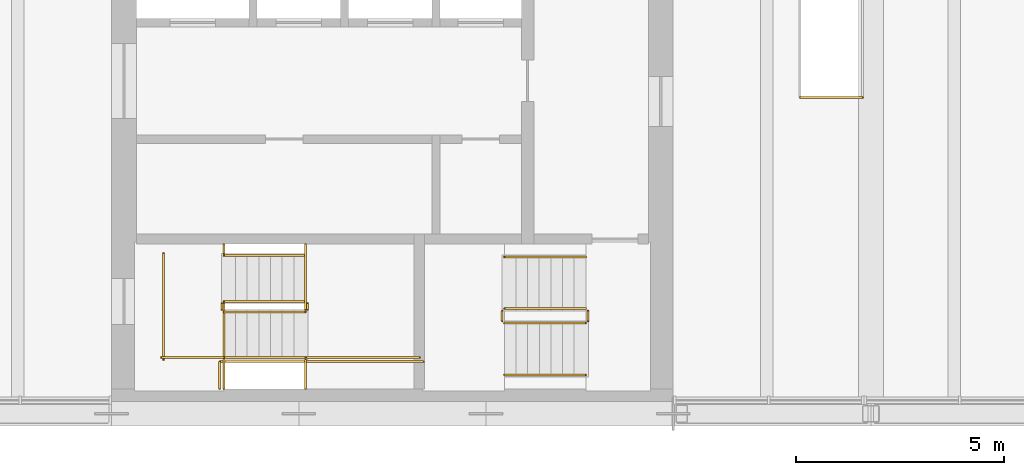
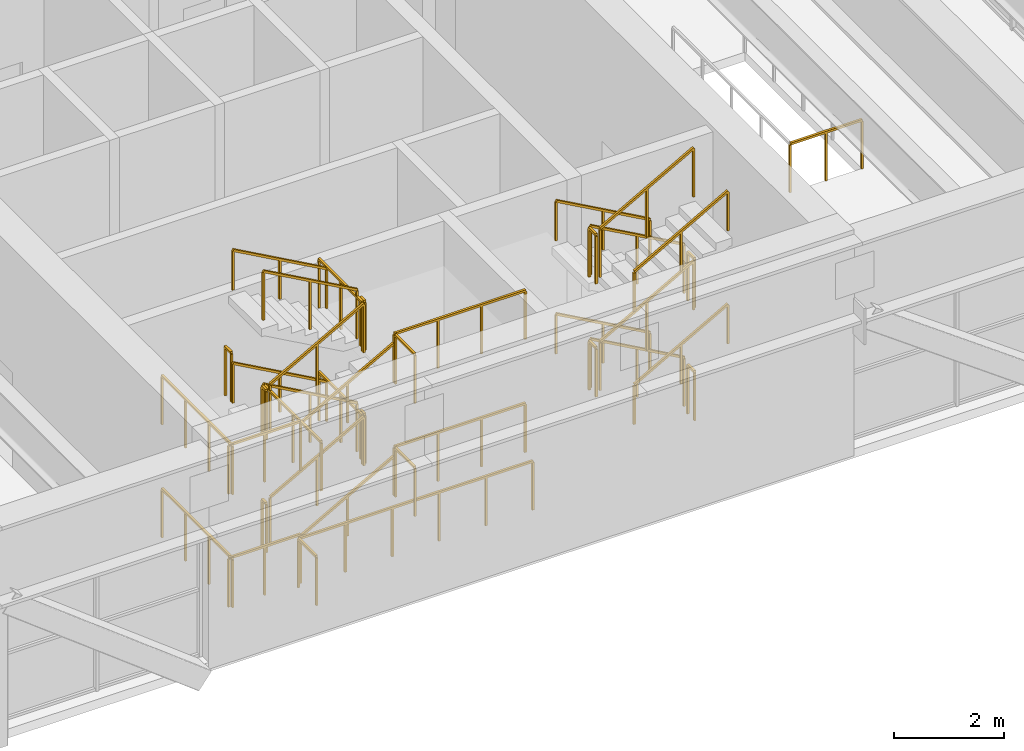
# One storey, part 11 of 12: 39 railings.
"""IFC4 building model written with IfcOpenShell, lengths in metres."""

from ifc_helpers import new_model, si_unit, direction, frame, origin, origin_2d, place, context, subcontext, project, spatial, rectangle, extrude, material, type_object, element, save


model = new_model("IFC4")

# Units and contexts
model_context = context("Model", 3, precision=1e-05, world=origin(), true_north=direction((0.0, 1.0)))
body_context = subcontext(model_context, "Body", "Model", "MODEL_VIEW")
ifc_project = project(units=[si_unit("LENGTHUNIT", "METRE"), si_unit("AREAUNIT", "SQUARE_METRE"), si_unit("VOLUMEUNIT", "CUBIC_METRE"), si_unit("PLANEANGLEUNIT", "RADIAN"), si_unit("MASSUNIT", "GRAM", prefix="KILO")], contexts=[model_context])

# Site, building, storey
site_placement = place(None, origin())
site = spatial("IfcSite", under=ifc_project, at=site_placement, CompositionType="ELEMENT")
building_placement = place(site_placement, origin())
building = spatial("IfcBuilding", under=site, at=building_placement, Name="Sennacour Bend Tower", CompositionType="ELEMENT")
storey_placement = place(building_placement, frame((0.0, 0.0, 350.5)))
storey = spatial("IfcBuildingStorey", under=building, at=storey_placement, Name="L80", CompositionType="ELEMENT", Elevation=350.5)

# Railings
ifc_material = material(Name="Stainless steel", Category="steel")
railing_type_1 = type_object("IfcRailingType", Name="RL-GUARD-1100", PredefinedType="GUARDRAIL", material=ifc_material)
railing_1_placement = place(storey_placement, frame((56.699951171875, 2.449951171875, 0.15625)))
element("IfcRailing", 1, at=railing_1_placement, inside=storey, type_object=railing_type_1, Name="L80 SA1 stair guard 1", PredefinedType="GUARDRAIL", context=body_context, shape_type="SweptSolid", body=[
    extrude(rectangle(XDim=0.048095703125, YDim=0.048095703125, at=origin_2d()), frame((0.0, 0.0, 1.076171875), z_axis=(0.873232148454, 0.0, 0.487304437602), x_axis=(0.0, 1.0, 0.0)), (0.0, 0.0, 1.0), 2.244384765625),
    extrude(rectangle(XDim=0.0419921875, YDim=0.0419921875, at=origin_2d()), origin(), (0.0, 0.0, 1.0), 1.052001953125),
    extrude(rectangle(XDim=0.0419921875, YDim=0.0419921875, at=origin_2d()), frame((0.97998046875, 0.0, 0.546875)), (0.0, 0.0, 1.0), 1.052001953125),
    extrude(rectangle(XDim=0.0419921875, YDim=0.0419921875, at=origin_2d()), frame((1.9599609375, 0.0, 1.09375)), (0.0, 0.0, 1.0), 1.052001953125),
])
railing_2_placement = place(storey_placement, frame((58.7099609375, 2.5, 1.25)))
element("IfcRailing", 2, at=railing_2_placement, inside=storey, type_object=railing_type_1, Name="L80 SA1 stair guard 2", PredefinedType="GUARDRAIL", context=body_context, shape_type="SweptSolid", body=[
    extrude(rectangle(XDim=0.048095703125, YDim=0.048095703125, at=origin_2d()), frame((0.0, 0.0, 1.076171875), z_axis=(0.0, 1.0, 0.0), x_axis=(-1.0, 0.0, 0.0)), (0.0, 0.0, 1.0), 0.14990234375),
    extrude(rectangle(XDim=0.0419921875, YDim=0.0419921875, at=origin_2d()), origin(), (0.0, 0.0, 1.0), 1.052001953125),
    extrude(rectangle(XDim=0.0419921875, YDim=0.0419921875, at=origin_2d()), frame((0.0, 0.14990234375, 0.0)), (0.0, 0.0, 1.0), 1.052001953125),
])
railing_3_placement = place(storey_placement, frame((58.659912109375, 1.35009765625, 1.25)))
element("IfcRailing", 3, at=railing_3_placement, inside=storey, type_object=railing_type_1, Name="L80 SA1 stair guard 3", PredefinedType="GUARDRAIL", context=body_context, shape_type="SweptSolid", body=[
    extrude(rectangle(XDim=0.048095703125, YDim=0.048095703125, at=origin_2d()), frame((0.0, 0.0, 1.076171875), z_axis=(1.0, 0.0, 0.0), x_axis=(0.0, 1.0, 0.0)), (0.0, 0.0, 1.0), 2.739990234375),
    extrude(rectangle(XDim=0.0419921875, YDim=0.0419921875, at=origin_2d()), origin(), (0.0, 0.0, 1.0), 1.052001953125),
    extrude(rectangle(XDim=0.0419921875, YDim=0.0419921875, at=origin_2d()), frame((0.913330078125, 0.0, 0.0)), (0.0, 0.0, 1.0), 1.052001953125),
    extrude(rectangle(XDim=0.0419921875, YDim=0.0419921875, at=origin_2d()), frame((1.82666015625, 0.0, 0.0)), (0.0, 0.0, 1.0), 1.052001953125),
    extrude(rectangle(XDim=0.0419921875, YDim=0.0419921875, at=origin_2d()), frame((2.739990234375, 0.0, 0.0)), (0.0, 0.0, 1.0), 1.052001953125),
])
railing_4_placement = place(storey_placement, frame((58.659912109375, 2.699951171875, 1.40625)))
element("IfcRailing", 4, at=railing_4_placement, inside=storey, type_object=railing_type_1, Name="L80 SA1 stair guard 4", PredefinedType="GUARDRAIL", context=body_context, shape_type="SweptSolid", body=[
    extrude(rectangle(XDim=0.048095703125, YDim=0.048095703125, at=origin_2d()), frame((0.0, 0.0, 1.076171875), z_axis=(-0.873232148454, 0.0, 0.487304437602), x_axis=(0.0, -1.0, 0.0)), (0.0, 0.0, 1.0), 2.244384765625),
    extrude(rectangle(XDim=0.0419921875, YDim=0.0419921875, at=origin_2d()), origin(), (0.0, 0.0, 1.0), 1.052001953125),
    extrude(rectangle(XDim=0.0419921875, YDim=0.0419921875, at=origin_2d()), frame((-0.97998046875, 0.0, 0.546875)), (0.0, 0.0, 1.0), 1.052001953125),
    extrude(rectangle(XDim=0.0419921875, YDim=0.0419921875, at=origin_2d()), frame((-1.9599609375, 0.0, 1.09375)), (0.0, 0.0, 1.0), 1.052001953125),
])
railing_5_placement = place(storey_placement, frame((56.64990234375, 2.5, 2.5)))
element("IfcRailing", 5, at=railing_5_placement, inside=storey, type_object=railing_type_1, Name="L80 SA1 stair guard 5", PredefinedType="GUARDRAIL", context=body_context, shape_type="SweptSolid", body=[
    extrude(rectangle(XDim=0.048095703125, YDim=0.048095703125, at=origin_2d()), frame((0.0, 0.0, 1.076171875), z_axis=(0.0, 1.0, 0.0), x_axis=(-1.0, 0.0, 0.0)), (0.0, 0.0, 1.0), 0.14990234375),
    extrude(rectangle(XDim=0.0419921875, YDim=0.0419921875, at=origin_2d()), origin(), (0.0, 0.0, 1.0), 1.052001953125),
    extrude(rectangle(XDim=0.0419921875, YDim=0.0419921875, at=origin_2d()), frame((0.0, 0.14990234375, 0.0)), (0.0, 0.0, 1.0), 1.052001953125),
])
railing_6_placement = place(storey_placement, frame((55.199951171875, 1.35009765625, 2.5)))
element("IfcRailing", 6, at=railing_6_placement, inside=storey, type_object=railing_type_1, Name="L80 SA1 stair guard 6", PredefinedType="GUARDRAIL", context=body_context, shape_type="SweptSolid", body=[
    extrude(rectangle(XDim=0.048095703125, YDim=0.048095703125, at=origin_2d()), frame((0.0, 0.0, 1.076171875), z_axis=(1.0, 0.0, 0.0), x_axis=(0.0, 1.0, 0.0)), (0.0, 0.0, 1.0), 1.5),
    extrude(rectangle(XDim=0.0419921875, YDim=0.0419921875, at=origin_2d()), origin(), (0.0, 0.0, 1.0), 1.052001953125),
    extrude(rectangle(XDim=0.0419921875, YDim=0.0419921875, at=origin_2d()), frame((0.75, 0.0, 0.0)), (0.0, 0.0, 1.0), 1.052001953125),
    extrude(rectangle(XDim=0.0419921875, YDim=0.0419921875, at=origin_2d()), frame((1.5, 0.0, 0.0)), (0.0, 0.0, 1.0), 1.052001953125),
])
railing_7_placement = place(storey_placement, frame((55.25, 1.300048828125, 2.5)))
element("IfcRailing", 7, at=railing_7_placement, inside=storey, type_object=railing_type_1, Name="L80 SA1 stair guard 7", PredefinedType="GUARDRAIL", context=body_context, shape_type="SweptSolid", body=[
    extrude(rectangle(XDim=0.048095703125, YDim=0.048095703125, at=origin_2d()), frame((0.0, 0.0, 1.076171875), z_axis=(0.0, 1.0, 0.0), x_axis=(-1.0, 0.0, 0.0)), (0.0, 0.0, 1.0), 2.550048828125),
    extrude(rectangle(XDim=0.0419921875, YDim=0.0419921875, at=origin_2d()), origin(), (0.0, 0.0, 1.0), 1.052001953125),
    extrude(rectangle(XDim=0.0419921875, YDim=0.0419921875, at=origin_2d()), frame((0.0, 0.85009765625, 0.0)), (0.0, 0.0, 1.0), 1.052001953125),
    extrude(rectangle(XDim=0.0419921875, YDim=0.0419921875, at=origin_2d()), frame((0.0, 1.699951171875, 0.0)), (0.0, 0.0, 1.0), 1.052001953125),
    extrude(rectangle(XDim=0.0419921875, YDim=0.0419921875, at=origin_2d()), frame((0.0, 2.550048828125, 0.0)), (0.0, 0.0, 1.0), 1.052001953125),
])
railing_8_placement = place(storey_placement, frame((56.699951171875, 2.449951171875, 2.65625)))
element("IfcRailing", 8, at=railing_8_placement, inside=storey, type_object=railing_type_1, Name="L80 SA1 stair guard 8", PredefinedType="GUARDRAIL", context=body_context, shape_type="SweptSolid", body=[
    extrude(rectangle(XDim=0.048095703125, YDim=0.048095703125, at=origin_2d()), frame((0.0, 0.0, 1.076171875), z_axis=(0.873232148454, 0.0, 0.487304437602), x_axis=(0.0, 1.0, 0.0)), (0.0, 0.0, 1.0), 2.244384765625),
    extrude(rectangle(XDim=0.0419921875, YDim=0.0419921875, at=origin_2d()), origin(), (0.0, 0.0, 1.0), 1.052001953125),
    extrude(rectangle(XDim=0.0419921875, YDim=0.0419921875, at=origin_2d()), frame((0.97998046875, 0.0, 0.546875)), (0.0, 0.0, 1.0), 1.052001953125),
    extrude(rectangle(XDim=0.0419921875, YDim=0.0419921875, at=origin_2d()), frame((1.9599609375, 0.0, 1.09375)), (0.0, 0.0, 1.0), 1.052001953125),
])
railing_9_placement = place(storey_placement, frame((58.7099609375, 2.5, 3.75)))
element("IfcRailing", 9, at=railing_9_placement, inside=storey, type_object=railing_type_1, Name="L80 SA1 stair guard 9", PredefinedType="GUARDRAIL", context=body_context, shape_type="SweptSolid", body=[
    extrude(rectangle(XDim=0.048095703125, YDim=0.048095703125, at=origin_2d()), frame((0.0, 0.0, 1.076171875), z_axis=(0.0, 1.0, 0.0), x_axis=(-1.0, 0.0, 0.0)), (0.0, 0.0, 1.0), 0.14990234375),
    extrude(rectangle(XDim=0.0419921875, YDim=0.0419921875, at=origin_2d()), origin(), (0.0, 0.0, 1.0), 1.052001953125),
    extrude(rectangle(XDim=0.0419921875, YDim=0.0419921875, at=origin_2d()), frame((0.0, 0.14990234375, 0.0)), (0.0, 0.0, 1.0), 1.052001953125),
])
railing_10_placement = place(storey_placement, frame((58.659912109375, 1.35009765625, 3.75)))
element("IfcRailing", 10, at=railing_10_placement, inside=storey, type_object=railing_type_1, Name="L80 SA1 stair guard 10", PredefinedType="GUARDRAIL", context=body_context, shape_type="SweptSolid", body=[
    extrude(rectangle(XDim=0.048095703125, YDim=0.048095703125, at=origin_2d()), frame((0.0, 0.0, 1.076171875), z_axis=(1.0, 0.0, 0.0), x_axis=(0.0, 1.0, 0.0)), (0.0, 0.0, 1.0), 2.739990234375),
    extrude(rectangle(XDim=0.0419921875, YDim=0.0419921875, at=origin_2d()), origin(), (0.0, 0.0, 1.0), 1.052001953125),
    extrude(rectangle(XDim=0.0419921875, YDim=0.0419921875, at=origin_2d()), frame((0.913330078125, 0.0, 0.0)), (0.0, 0.0, 1.0), 1.052001953125),
    extrude(rectangle(XDim=0.0419921875, YDim=0.0419921875, at=origin_2d()), frame((1.82666015625, 0.0, 0.0)), (0.0, 0.0, 1.0), 1.052001953125),
    extrude(rectangle(XDim=0.0419921875, YDim=0.0419921875, at=origin_2d()), frame((2.739990234375, 0.0, 0.0)), (0.0, 0.0, 1.0), 1.052001953125),
])
railing_11_placement = place(storey_placement, frame((58.659912109375, 2.699951171875, 3.90625)))
element("IfcRailing", 11, at=railing_11_placement, inside=storey, type_object=railing_type_1, Name="L80 SA1 stair guard 11", PredefinedType="GUARDRAIL", context=body_context, shape_type="SweptSolid", body=[
    extrude(rectangle(XDim=0.048095703125, YDim=0.048095703125, at=origin_2d()), frame((0.0, 0.0, 1.076171875), z_axis=(-0.873232148454, 0.0, 0.487304437602), x_axis=(0.0, -1.0, 0.0)), (0.0, 0.0, 1.0), 2.244384765625),
    extrude(rectangle(XDim=0.0419921875, YDim=0.0419921875, at=origin_2d()), origin(), (0.0, 0.0, 1.0), 1.052001953125),
    extrude(rectangle(XDim=0.0419921875, YDim=0.0419921875, at=origin_2d()), frame((-0.97998046875, 0.0, 0.546875)), (0.0, 0.0, 1.0), 1.052001953125),
    extrude(rectangle(XDim=0.0419921875, YDim=0.0419921875, at=origin_2d()), frame((-1.9599609375, 0.0, 1.09375)), (0.0, 0.0, 1.0), 1.052001953125),
])
railing_12_placement = place(storey_placement, frame((56.64990234375, 2.5, 0.0)))
element("IfcRailing", 12, at=railing_12_placement, inside=storey, type_object=railing_type_1, Name="L80 SA1 stair guard 12", PredefinedType="GUARDRAIL", context=body_context, shape_type="SweptSolid", body=[
    extrude(rectangle(XDim=0.048095703125, YDim=0.048095703125, at=origin_2d()), frame((0.0, 0.0, 1.076171875), z_axis=(0.0, 1.0, 0.0), x_axis=(-1.0, 0.0, 0.0)), (0.0, 0.0, 1.0), 0.14990234375),
    extrude(rectangle(XDim=0.0419921875, YDim=0.0419921875, at=origin_2d()), origin(), (0.0, 0.0, 1.0), 1.052001953125),
    extrude(rectangle(XDim=0.0419921875, YDim=0.0419921875, at=origin_2d()), frame((0.0, 0.14990234375, 0.0)), (0.0, 0.0, 1.0), 1.052001953125),
])
railing_13_placement = place(storey_placement, frame((55.199951171875, 1.35009765625, 0.0)))
element("IfcRailing", 13, at=railing_13_placement, inside=storey, type_object=railing_type_1, Name="L80 SA1 stair guard 13", PredefinedType="GUARDRAIL", context=body_context, shape_type="SweptSolid", body=[
    extrude(rectangle(XDim=0.048095703125, YDim=0.048095703125, at=origin_2d()), frame((0.0, 0.0, 1.076171875), z_axis=(1.0, 0.0, 0.0), x_axis=(0.0, 1.0, 0.0)), (0.0, 0.0, 1.0), 1.5),
    extrude(rectangle(XDim=0.0419921875, YDim=0.0419921875, at=origin_2d()), origin(), (0.0, 0.0, 1.0), 1.052001953125),
    extrude(rectangle(XDim=0.0419921875, YDim=0.0419921875, at=origin_2d()), frame((0.75, 0.0, 0.0)), (0.0, 0.0, 1.0), 1.052001953125),
    extrude(rectangle(XDim=0.0419921875, YDim=0.0419921875, at=origin_2d()), frame((1.5, 0.0, 0.0)), (0.0, 0.0, 1.0), 1.052001953125),
])
railing_14_placement = place(storey_placement, frame((55.25, 1.300048828125, 0.0)))
element("IfcRailing", 14, at=railing_14_placement, inside=storey, type_object=railing_type_1, Name="L80 SA1 stair guard 14", PredefinedType="GUARDRAIL", context=body_context, shape_type="SweptSolid", body=[
    extrude(rectangle(XDim=0.048095703125, YDim=0.048095703125, at=origin_2d()), frame((0.0, 0.0, 1.076171875), z_axis=(0.0, 1.0, 0.0), x_axis=(-1.0, 0.0, 0.0)), (0.0, 0.0, 1.0), 2.550048828125),
    extrude(rectangle(XDim=0.0419921875, YDim=0.0419921875, at=origin_2d()), origin(), (0.0, 0.0, 1.0), 1.052001953125),
    extrude(rectangle(XDim=0.0419921875, YDim=0.0419921875, at=origin_2d()), frame((0.0, 0.85009765625, 0.0)), (0.0, 0.0, 1.0), 1.052001953125),
    extrude(rectangle(XDim=0.0419921875, YDim=0.0419921875, at=origin_2d()), frame((0.0, 1.699951171875, 0.0)), (0.0, 0.0, 1.0), 1.052001953125),
    extrude(rectangle(XDim=0.0419921875, YDim=0.0419921875, at=origin_2d()), frame((0.0, 2.550048828125, 0.0)), (0.0, 0.0, 1.0), 1.052001953125),
])
railing_15_placement = place(storey_placement, frame((56.60009765625, 1.25, 0.0)))
element("IfcRailing", 15, at=railing_15_placement, inside=storey, type_object=railing_type_1, Name="L80 SA1 stair guard 15", PredefinedType="GUARDRAIL", context=body_context, shape_type="SweptSolid", body=[
    extrude(rectangle(XDim=0.048095703125, YDim=0.048095703125, at=origin_2d()), frame((0.0, 0.0, 1.076171875), z_axis=(1.0, 0.0, 0.0), x_axis=(0.0, 1.0, 0.0)), (0.0, 0.0, 1.0), 4.89990234375),
    extrude(rectangle(XDim=0.0419921875, YDim=0.0419921875, at=origin_2d()), origin(), (0.0, 0.0, 1.0), 1.052001953125),
    extrude(rectangle(XDim=0.0419921875, YDim=0.0419921875, at=origin_2d()), frame((0.97998046875, 0.0, 0.0)), (0.0, 0.0, 1.0), 1.052001953125),
    extrude(rectangle(XDim=0.0419921875, YDim=0.0419921875, at=origin_2d()), frame((1.9599609375, 0.0, 0.0)), (0.0, 0.0, 1.0), 1.052001953125),
    extrude(rectangle(XDim=0.0419921875, YDim=0.0419921875, at=origin_2d()), frame((2.93994140625, 0.0, 0.0)), (0.0, 0.0, 1.0), 1.052001953125),
    extrude(rectangle(XDim=0.0419921875, YDim=0.0419921875, at=origin_2d()), frame((3.919921875, 0.0, 0.0)), (0.0, 0.0, 1.0), 1.052001953125),
    extrude(rectangle(XDim=0.0419921875, YDim=0.0419921875, at=origin_2d()), frame((4.89990234375, 0.0, 0.0)), (0.0, 0.0, 1.0), 1.052001953125),
])
railing_16_placement = place(storey_placement, frame((58.659912109375, 0.60009765625, 1.25)))
element("IfcRailing", 16, at=railing_16_placement, inside=storey, type_object=railing_type_1, Name="L80 SA1 landing edge guard 137", PredefinedType="GUARDRAIL", context=body_context, shape_type="SweptSolid", body=[
    extrude(rectangle(XDim=0.048095703125, YDim=0.048095703125, at=origin_2d()), frame((0.0, 0.0, 1.076171875), z_axis=(0.0, 1.0, 0.0), x_axis=(-1.0, 0.0, 0.0)), (0.0, 0.0, 1.0), 0.699951171875),
    extrude(rectangle(XDim=0.0419921875, YDim=0.0419921875, at=origin_2d()), origin(), (0.0, 0.0, 1.0), 1.052001953125),
    extrude(rectangle(XDim=0.0419921875, YDim=0.0419921875, at=origin_2d()), frame((0.0, 0.699951171875, 0.0)), (0.0, 0.0, 1.0), 1.052001953125),
])
railing_17_placement = place(storey_placement, frame((58.659912109375, 2.5, 1.25)))
element("IfcRailing", 17, at=railing_17_placement, inside=storey, type_object=railing_type_1, Name="L80 SA1 landing edge guard 138", PredefinedType="GUARDRAIL", context=body_context, shape_type="SweptSolid", body=[
    extrude(rectangle(XDim=0.048095703125, YDim=0.048095703125, at=origin_2d()), frame((0.0, 0.0, 1.076171875), z_axis=(0.0, 1.0, 0.0), x_axis=(-1.0, 0.0, 0.0)), (0.0, 0.0, 1.0), 1.574951171875),
    extrude(rectangle(XDim=0.0419921875, YDim=0.0419921875, at=origin_2d()), origin(), (0.0, 0.0, 1.0), 1.052001953125),
    extrude(rectangle(XDim=0.0419921875, YDim=0.0419921875, at=origin_2d()), frame((0.0, 0.78759765625, 0.0)), (0.0, 0.0, 1.0), 1.052001953125),
    extrude(rectangle(XDim=0.0419921875, YDim=0.0419921875, at=origin_2d()), frame((0.0, 1.574951171875, 0.0)), (0.0, 0.0, 1.0), 1.052001953125),
])
railing_18_placement = place(storey_placement, frame((56.699951171875, 4.074951171875, 2.5)))
element("IfcRailing", 18, at=railing_18_placement, inside=storey, type_object=railing_type_1, Name="L80 SA1 landing edge guard 139", PredefinedType="GUARDRAIL", context=body_context, shape_type="SweptSolid", body=[
    extrude(rectangle(XDim=0.048095703125, YDim=0.048095703125, at=origin_2d()), frame((0.0, 0.0, 1.076171875), z_axis=(0.0, -1.0, 0.0), x_axis=(1.0, 0.0, 0.0)), (0.0, 0.0, 1.0), 0.224853515625),
    extrude(rectangle(XDim=0.0419921875, YDim=0.0419921875, at=origin_2d()), origin(), (0.0, 0.0, 1.0), 1.052001953125),
    extrude(rectangle(XDim=0.0419921875, YDim=0.0419921875, at=origin_2d()), frame((0.0, -0.224853515625, 0.0)), (0.0, 0.0, 1.0), 1.052001953125),
])
railing_19_placement = place(storey_placement, frame((56.699951171875, 2.64990234375, 2.5)))
element("IfcRailing", 19, at=railing_19_placement, inside=storey, type_object=railing_type_1, Name="L80 SA1 landing edge guard 140", PredefinedType="GUARDRAIL", context=body_context, shape_type="SweptSolid", body=[
    extrude(rectangle(XDim=0.048095703125, YDim=0.048095703125, at=origin_2d()), frame((0.0, 0.0, 1.076171875), z_axis=(0.0, -1.0, 0.0), x_axis=(1.0, 0.0, 0.0)), (0.0, 0.0, 1.0), 2.0498046875),
    extrude(rectangle(XDim=0.0419921875, YDim=0.0419921875, at=origin_2d()), origin(), (0.0, 0.0, 1.0), 1.052001953125),
    extrude(rectangle(XDim=0.0419921875, YDim=0.0419921875, at=origin_2d()), frame((0.0, -1.02490234375, 0.0)), (0.0, 0.0, 1.0), 1.052001953125),
    extrude(rectangle(XDim=0.0419921875, YDim=0.0419921875, at=origin_2d()), frame((0.0, -2.0498046875, 0.0)), (0.0, 0.0, 1.0), 1.052001953125),
])
railing_20_placement = place(storey_placement, frame((58.659912109375, 0.60009765625, 3.75)))
element("IfcRailing", 20, at=railing_20_placement, inside=storey, type_object=railing_type_1, Name="L80 SA1 landing edge guard 141", PredefinedType="GUARDRAIL", context=body_context, shape_type="SweptSolid", body=[
    extrude(rectangle(XDim=0.048095703125, YDim=0.048095703125, at=origin_2d()), frame((0.0, 0.0, 1.076171875), z_axis=(0.0, 1.0, 0.0), x_axis=(-1.0, 0.0, 0.0)), (0.0, 0.0, 1.0), 0.699951171875),
    extrude(rectangle(XDim=0.0419921875, YDim=0.0419921875, at=origin_2d()), origin(), (0.0, 0.0, 1.0), 1.052001953125),
    extrude(rectangle(XDim=0.0419921875, YDim=0.0419921875, at=origin_2d()), frame((0.0, 0.699951171875, 0.0)), (0.0, 0.0, 1.0), 1.052001953125),
])
railing_21_placement = place(storey_placement, frame((58.659912109375, 2.5, 3.75)))
element("IfcRailing", 21, at=railing_21_placement, inside=storey, type_object=railing_type_1, Name="L80 SA1 landing edge guard 142", PredefinedType="GUARDRAIL", context=body_context, shape_type="SweptSolid", body=[
    extrude(rectangle(XDim=0.048095703125, YDim=0.048095703125, at=origin_2d()), frame((0.0, 0.0, 1.076171875), z_axis=(0.0, 1.0, 0.0), x_axis=(-1.0, 0.0, 0.0)), (0.0, 0.0, 1.0), 1.574951171875),
    extrude(rectangle(XDim=0.0419921875, YDim=0.0419921875, at=origin_2d()), origin(), (0.0, 0.0, 1.0), 1.052001953125),
    extrude(rectangle(XDim=0.0419921875, YDim=0.0419921875, at=origin_2d()), frame((0.0, 0.78759765625, 0.0)), (0.0, 0.0, 1.0), 1.052001953125),
    extrude(rectangle(XDim=0.0419921875, YDim=0.0419921875, at=origin_2d()), frame((0.0, 1.574951171875, 0.0)), (0.0, 0.0, 1.0), 1.052001953125),
])
railing_22_placement = place(storey_placement, frame((56.60009765625, 1.25, 0.0)))
element("IfcRailing", 22, at=railing_22_placement, inside=storey, type_object=railing_type_1, Name="L80 SA1 landing edge guard 167", PredefinedType="GUARDRAIL", context=body_context, shape_type="SweptSolid", body=[
    extrude(rectangle(XDim=0.048095703125, YDim=0.048095703125, at=origin_2d()), frame((0.0, 0.0, 1.076171875), z_axis=(0.0, -1.0, 0.0), x_axis=(1.0, 0.0, 0.0)), (0.0, 0.0, 1.0), 0.64990234375),
    extrude(rectangle(XDim=0.0419921875, YDim=0.0419921875, at=origin_2d()), origin(), (0.0, 0.0, 1.0), 1.052001953125),
    extrude(rectangle(XDim=0.0419921875, YDim=0.0419921875, at=origin_2d()), frame((0.0, -0.64990234375, 0.0)), (0.0, 0.0, 1.0), 1.052001953125),
])
railing_23_placement = place(storey_placement, frame((65.39990234375, 2.52490234375, 0.15625)))
element("IfcRailing", 23, at=railing_23_placement, inside=storey, type_object=railing_type_1, Name="L80 SA3 stair guard 1", PredefinedType="GUARDRAIL", context=body_context, shape_type="SweptSolid", body=[
    extrude(rectangle(XDim=0.048095703125, YDim=0.048095703125, at=origin_2d()), frame((0.0, 0.0, 1.076171875), z_axis=(-0.873232148454, 0.0, 0.487304437602), x_axis=(0.0, -1.0, 0.0)), (0.0, 0.0, 1.0), 2.244384765625),
    extrude(rectangle(XDim=0.0419921875, YDim=0.0419921875, at=origin_2d()), origin(), (0.0, 0.0, 1.0), 1.052001953125),
    extrude(rectangle(XDim=0.0419921875, YDim=0.0419921875, at=origin_2d()), frame((-0.97998046875, 0.0, 0.546875)), (0.0, 0.0, 1.0), 1.052001953125),
    extrude(rectangle(XDim=0.0419921875, YDim=0.0419921875, at=origin_2d()), frame((-1.9599609375, 0.0, 1.09375)), (0.0, 0.0, 1.0), 1.052001953125),
])
railing_24_placement = place(storey_placement, frame((63.389892578125, 2.47509765625, 1.25)))
element("IfcRailing", 24, at=railing_24_placement, inside=storey, type_object=railing_type_1, Name="L80 SA3 stair guard 2", PredefinedType="GUARDRAIL", context=body_context, shape_type="SweptSolid", body=[
    extrude(rectangle(XDim=0.048095703125, YDim=0.048095703125, at=origin_2d()), frame((0.0, 0.0, 1.076171875), z_axis=(0.0, -1.0, 0.0), x_axis=(1.0, 0.0, 0.0)), (0.0, 0.0, 1.0), 0.25),
    extrude(rectangle(XDim=0.0419921875, YDim=0.0419921875, at=origin_2d()), origin(), (0.0, 0.0, 1.0), 1.052001953125),
    extrude(rectangle(XDim=0.0419921875, YDim=0.0419921875, at=origin_2d()), frame((0.0, -0.25, 0.0)), (0.0, 0.0, 1.0), 1.052001953125),
])
railing_25_placement = place(storey_placement, frame((63.43994140625, 2.175048828125, 1.40625)))
element("IfcRailing", 25, at=railing_25_placement, inside=storey, type_object=railing_type_1, Name="L80 SA3 stair guard 3", PredefinedType="GUARDRAIL", context=body_context, shape_type="SweptSolid", body=[
    extrude(rectangle(XDim=0.048095703125, YDim=0.048095703125, at=origin_2d()), frame((0.0, 0.0, 1.076171875), z_axis=(0.873232148454, 0.0, 0.487304437602), x_axis=(0.0, 1.0, 0.0)), (0.0, 0.0, 1.0), 2.244384765625),
    extrude(rectangle(XDim=0.0419921875, YDim=0.0419921875, at=origin_2d()), origin(), (0.0, 0.0, 1.0), 1.052001953125),
    extrude(rectangle(XDim=0.0419921875, YDim=0.0419921875, at=origin_2d()), frame((0.97998046875, 0.0, 0.546875)), (0.0, 0.0, 1.0), 1.052001953125),
    extrude(rectangle(XDim=0.0419921875, YDim=0.0419921875, at=origin_2d()), frame((1.9599609375, 0.0, 1.09375)), (0.0, 0.0, 1.0), 1.052001953125),
])
railing_26_placement = place(storey_placement, frame((65.449951171875, 2.47509765625, 2.5)))
element("IfcRailing", 26, at=railing_26_placement, inside=storey, type_object=railing_type_1, Name="L80 SA3 stair guard 4", PredefinedType="GUARDRAIL", context=body_context, shape_type="SweptSolid", body=[
    extrude(rectangle(XDim=0.048095703125, YDim=0.048095703125, at=origin_2d()), frame((0.0, 0.0, 1.076171875), z_axis=(0.0, -1.0, 0.0), x_axis=(1.0, 0.0, 0.0)), (0.0, 0.0, 1.0), 0.25),
    extrude(rectangle(XDim=0.0419921875, YDim=0.0419921875, at=origin_2d()), origin(), (0.0, 0.0, 1.0), 1.052001953125),
    extrude(rectangle(XDim=0.0419921875, YDim=0.0419921875, at=origin_2d()), frame((0.0, -0.25, 0.0)), (0.0, 0.0, 1.0), 1.052001953125),
])
railing_27_placement = place(storey_placement, frame((65.39990234375, 2.52490234375, 2.65625)))
element("IfcRailing", 27, at=railing_27_placement, inside=storey, type_object=railing_type_1, Name="L80 SA3 stair guard 5", PredefinedType="GUARDRAIL", context=body_context, shape_type="SweptSolid", body=[
    extrude(rectangle(XDim=0.048095703125, YDim=0.048095703125, at=origin_2d()), frame((0.0, 0.0, 1.076171875), z_axis=(-0.873232148454, 0.0, 0.487304437602), x_axis=(0.0, -1.0, 0.0)), (0.0, 0.0, 1.0), 2.244384765625),
    extrude(rectangle(XDim=0.0419921875, YDim=0.0419921875, at=origin_2d()), origin(), (0.0, 0.0, 1.0), 1.052001953125),
    extrude(rectangle(XDim=0.0419921875, YDim=0.0419921875, at=origin_2d()), frame((-0.97998046875, 0.0, 0.546875)), (0.0, 0.0, 1.0), 1.052001953125),
    extrude(rectangle(XDim=0.0419921875, YDim=0.0419921875, at=origin_2d()), frame((-1.9599609375, 0.0, 1.09375)), (0.0, 0.0, 1.0), 1.052001953125),
])
railing_28_placement = place(storey_placement, frame((63.389892578125, 2.47509765625, 3.75)))
element("IfcRailing", 28, at=railing_28_placement, inside=storey, type_object=railing_type_1, Name="L80 SA3 stair guard 6", PredefinedType="GUARDRAIL", context=body_context, shape_type="SweptSolid", body=[
    extrude(rectangle(XDim=0.048095703125, YDim=0.048095703125, at=origin_2d()), frame((0.0, 0.0, 1.076171875), z_axis=(0.0, -1.0, 0.0), x_axis=(1.0, 0.0, 0.0)), (0.0, 0.0, 1.0), 0.25),
    extrude(rectangle(XDim=0.0419921875, YDim=0.0419921875, at=origin_2d()), origin(), (0.0, 0.0, 1.0), 1.052001953125),
    extrude(rectangle(XDim=0.0419921875, YDim=0.0419921875, at=origin_2d()), frame((0.0, -0.25, 0.0)), (0.0, 0.0, 1.0), 1.052001953125),
])
railing_29_placement = place(storey_placement, frame((63.43994140625, 2.175048828125, 3.90625)))
element("IfcRailing", 29, at=railing_29_placement, inside=storey, type_object=railing_type_1, Name="L80 SA3 stair guard 7", PredefinedType="GUARDRAIL", context=body_context, shape_type="SweptSolid", body=[
    extrude(rectangle(XDim=0.048095703125, YDim=0.048095703125, at=origin_2d()), frame((0.0, 0.0, 1.076171875), z_axis=(0.873232148454, 0.0, 0.487304437602), x_axis=(0.0, 1.0, 0.0)), (0.0, 0.0, 1.0), 2.244384765625),
    extrude(rectangle(XDim=0.0419921875, YDim=0.0419921875, at=origin_2d()), origin(), (0.0, 0.0, 1.0), 1.052001953125),
    extrude(rectangle(XDim=0.0419921875, YDim=0.0419921875, at=origin_2d()), frame((0.97998046875, 0.0, 0.546875)), (0.0, 0.0, 1.0), 1.052001953125),
    extrude(rectangle(XDim=0.0419921875, YDim=0.0419921875, at=origin_2d()), frame((1.9599609375, 0.0, 1.09375)), (0.0, 0.0, 1.0), 1.052001953125),
])
railing_30_placement = place(storey_placement, frame((65.449951171875, 2.47509765625, 0.0)))
element("IfcRailing", 30, at=railing_30_placement, inside=storey, type_object=railing_type_1, Name="L80 SA3 stair guard 8", PredefinedType="GUARDRAIL", context=body_context, shape_type="SweptSolid", body=[
    extrude(rectangle(XDim=0.048095703125, YDim=0.048095703125, at=origin_2d()), frame((0.0, 0.0, 1.076171875), z_axis=(0.0, -1.0, 0.0), x_axis=(1.0, 0.0, 0.0)), (0.0, 0.0, 1.0), 0.25),
    extrude(rectangle(XDim=0.0419921875, YDim=0.0419921875, at=origin_2d()), origin(), (0.0, 0.0, 1.0), 1.052001953125),
    extrude(rectangle(XDim=0.0419921875, YDim=0.0419921875, at=origin_2d()), frame((0.0, -0.25, 0.0)), (0.0, 0.0, 1.0), 1.052001953125),
])
railing_31_placement = place(storey_placement, frame((70.550048828125, 7.60009765625, 0.0)))
element("IfcRailing", 31, at=railing_31_placement, inside=storey, type_object=railing_type_1, Name="L80 stair opening guard", PredefinedType="GUARDRAIL", context=body_context, shape_type="SweptSolid", body=[
    extrude(rectangle(XDim=0.048095703125, YDim=0.048095703125, at=origin_2d()), frame((0.0, 0.0, 1.076171875), z_axis=(1.0, 0.0, 0.0), x_axis=(0.0, 1.0, 0.0)), (0.0, 0.0, 1.0), 1.5),
    extrude(rectangle(XDim=0.0419921875, YDim=0.0419921875, at=origin_2d()), origin(), (0.0, 0.0, 1.0), 1.052001953125),
    extrude(rectangle(XDim=0.0419921875, YDim=0.0419921875, at=origin_2d()), frame((0.75, 0.0, 0.0)), (0.0, 0.0, 1.0), 1.052001953125),
    extrude(rectangle(XDim=0.0419921875, YDim=0.0419921875, at=origin_2d()), frame((1.5, 0.0, 0.0)), (0.0, 0.0, 1.0), 1.052001953125),
])
railing_type_2 = type_object("IfcRailingType", Name="RL-HANDRAIL-900", PredefinedType="HANDRAIL", material=ifc_material)
railing_32_placement = place(storey_placement, frame((56.699951171875, 1.35009765625, 0.15625)))
element("IfcRailing", 32, at=railing_32_placement, inside=storey, type_object=railing_type_2, Name="L80 SA1 stair handrail 1", PredefinedType="HANDRAIL", context=body_context, shape_type="SweptSolid", body=[
    extrude(rectangle(XDim=0.048095703125, YDim=0.048095703125, at=origin_2d()), frame((0.0, 0.0, 0.8759765625), z_axis=(0.873232148454, 0.0, 0.487304437602), x_axis=(0.0, 1.0, 0.0)), (0.0, 0.0, 1.0), 2.244384765625),
    extrude(rectangle(XDim=0.0419921875, YDim=0.0419921875, at=origin_2d()), origin(), (0.0, 0.0, 1.0), 0.851806640625),
    extrude(rectangle(XDim=0.0419921875, YDim=0.0419921875, at=origin_2d()), frame((0.97998046875, 0.0, 0.546875)), (0.0, 0.0, 1.0), 0.851806640625),
    extrude(rectangle(XDim=0.0419921875, YDim=0.0419921875, at=origin_2d()), frame((1.9599609375, 0.0, 1.09375)), (0.0, 0.0, 1.0), 0.851806640625),
])
railing_33_placement = place(storey_placement, frame((58.659912109375, 3.800048828125, 1.40625)))
element("IfcRailing", 33, at=railing_33_placement, inside=storey, type_object=railing_type_2, Name="L80 SA1 stair handrail 2", PredefinedType="HANDRAIL", context=body_context, shape_type="SweptSolid", body=[
    extrude(rectangle(XDim=0.048095703125, YDim=0.048095703125, at=origin_2d()), frame((0.0, 0.0, 0.8759765625), z_axis=(-0.873232148454, 0.0, 0.487304437602), x_axis=(0.0, -1.0, 0.0)), (0.0, 0.0, 1.0), 2.244384765625),
    extrude(rectangle(XDim=0.0419921875, YDim=0.0419921875, at=origin_2d()), origin(), (0.0, 0.0, 1.0), 0.851806640625),
    extrude(rectangle(XDim=0.0419921875, YDim=0.0419921875, at=origin_2d()), frame((-0.97998046875, 0.0, 0.546875)), (0.0, 0.0, 1.0), 0.851806640625),
    extrude(rectangle(XDim=0.0419921875, YDim=0.0419921875, at=origin_2d()), frame((-1.9599609375, 0.0, 1.09375)), (0.0, 0.0, 1.0), 0.851806640625),
])
railing_34_placement = place(storey_placement, frame((56.699951171875, 1.35009765625, 2.65625)))
element("IfcRailing", 34, at=railing_34_placement, inside=storey, type_object=railing_type_2, Name="L80 SA1 stair handrail 3", PredefinedType="HANDRAIL", context=body_context, shape_type="SweptSolid", body=[
    extrude(rectangle(XDim=0.048095703125, YDim=0.048095703125, at=origin_2d()), frame((0.0, 0.0, 0.8759765625), z_axis=(0.873232148454, 0.0, 0.487304437602), x_axis=(0.0, 1.0, 0.0)), (0.0, 0.0, 1.0), 2.244384765625),
    extrude(rectangle(XDim=0.0419921875, YDim=0.0419921875, at=origin_2d()), origin(), (0.0, 0.0, 1.0), 0.851806640625),
    extrude(rectangle(XDim=0.0419921875, YDim=0.0419921875, at=origin_2d()), frame((0.97998046875, 0.0, 0.546875)), (0.0, 0.0, 1.0), 0.851806640625),
    extrude(rectangle(XDim=0.0419921875, YDim=0.0419921875, at=origin_2d()), frame((1.9599609375, 0.0, 1.09375)), (0.0, 0.0, 1.0), 0.851806640625),
])
for number, where, name in (
    (35, (58.659912109375, 3.800048828125, 3.90625), "L80 SA1 stair handrail 4"),
    (36, (65.39990234375, 3.764892578125, 0.15625), "L80 SA3 stair handrail 1"),
):
    element("IfcRailing", number, at=place(storey_placement, frame(where)), inside=storey, type_object=railing_type_2, Name=name, PredefinedType="HANDRAIL", context=body_context, shape_type="SweptSolid", body=[
        extrude(rectangle(XDim=0.048095703125, YDim=0.048095703125, at=origin_2d()), frame((0.0, 0.0, 0.8759765625), z_axis=(-0.873232148454, 0.0, 0.487304437602), x_axis=(0.0, -1.0, 0.0)), (0.0, 0.0, 1.0), 2.244384765625),
        extrude(rectangle(XDim=0.0419921875, YDim=0.0419921875, at=origin_2d()), origin(), (0.0, 0.0, 1.0), 0.851806640625),
        extrude(rectangle(XDim=0.0419921875, YDim=0.0419921875, at=origin_2d()), frame((-0.97998046875, 0.0, 0.546875)), (0.0, 0.0, 1.0), 0.851806640625),
        extrude(rectangle(XDim=0.0419921875, YDim=0.0419921875, at=origin_2d()), frame((-1.9599609375, 0.0, 1.09375)), (0.0, 0.0, 1.0), 0.851806640625),
    ])
railing_35_placement = place(storey_placement, frame((63.43994140625, 0.93505859375, 1.40625)))
element("IfcRailing", 37, at=railing_35_placement, inside=storey, type_object=railing_type_2, Name="L80 SA3 stair handrail 2", PredefinedType="HANDRAIL", context=body_context, shape_type="SweptSolid", body=[
    extrude(rectangle(XDim=0.048095703125, YDim=0.048095703125, at=origin_2d()), frame((0.0, 0.0, 0.8759765625), z_axis=(0.873232148454, 0.0, 0.487304437602), x_axis=(0.0, 1.0, 0.0)), (0.0, 0.0, 1.0), 2.244384765625),
    extrude(rectangle(XDim=0.0419921875, YDim=0.0419921875, at=origin_2d()), origin(), (0.0, 0.0, 1.0), 0.851806640625),
    extrude(rectangle(XDim=0.0419921875, YDim=0.0419921875, at=origin_2d()), frame((0.97998046875, 0.0, 0.546875)), (0.0, 0.0, 1.0), 0.851806640625),
    extrude(rectangle(XDim=0.0419921875, YDim=0.0419921875, at=origin_2d()), frame((1.9599609375, 0.0, 1.09375)), (0.0, 0.0, 1.0), 0.851806640625),
])
railing_36_placement = place(storey_placement, frame((65.39990234375, 3.764892578125, 2.65625)))
element("IfcRailing", 38, at=railing_36_placement, inside=storey, type_object=railing_type_2, Name="L80 SA3 stair handrail 3", PredefinedType="HANDRAIL", context=body_context, shape_type="SweptSolid", body=[
    extrude(rectangle(XDim=0.048095703125, YDim=0.048095703125, at=origin_2d()), frame((0.0, 0.0, 0.8759765625), z_axis=(-0.873232148454, 0.0, 0.487304437602), x_axis=(0.0, -1.0, 0.0)), (0.0, 0.0, 1.0), 2.244384765625),
    extrude(rectangle(XDim=0.0419921875, YDim=0.0419921875, at=origin_2d()), origin(), (0.0, 0.0, 1.0), 0.851806640625),
    extrude(rectangle(XDim=0.0419921875, YDim=0.0419921875, at=origin_2d()), frame((-0.97998046875, 0.0, 0.546875)), (0.0, 0.0, 1.0), 0.851806640625),
    extrude(rectangle(XDim=0.0419921875, YDim=0.0419921875, at=origin_2d()), frame((-1.9599609375, 0.0, 1.09375)), (0.0, 0.0, 1.0), 0.851806640625),
])
railing_37_placement = place(storey_placement, frame((63.43994140625, 0.93505859375, 3.90625)))
element("IfcRailing", 39, at=railing_37_placement, inside=storey, type_object=railing_type_2, Name="L80 SA3 stair handrail 4", PredefinedType="HANDRAIL", context=body_context, shape_type="SweptSolid", body=[
    extrude(rectangle(XDim=0.048095703125, YDim=0.048095703125, at=origin_2d()), frame((0.0, 0.0, 0.8759765625), z_axis=(0.873232148454, 0.0, 0.487304437602), x_axis=(0.0, 1.0, 0.0)), (0.0, 0.0, 1.0), 2.244384765625),
    extrude(rectangle(XDim=0.0419921875, YDim=0.0419921875, at=origin_2d()), origin(), (0.0, 0.0, 1.0), 0.851806640625),
    extrude(rectangle(XDim=0.0419921875, YDim=0.0419921875, at=origin_2d()), frame((0.97998046875, 0.0, 0.546875)), (0.0, 0.0, 1.0), 0.851806640625),
    extrude(rectangle(XDim=0.0419921875, YDim=0.0419921875, at=origin_2d()), frame((1.9599609375, 0.0, 1.09375)), (0.0, 0.0, 1.0), 0.851806640625),
])

save(model, "model.ifc")
